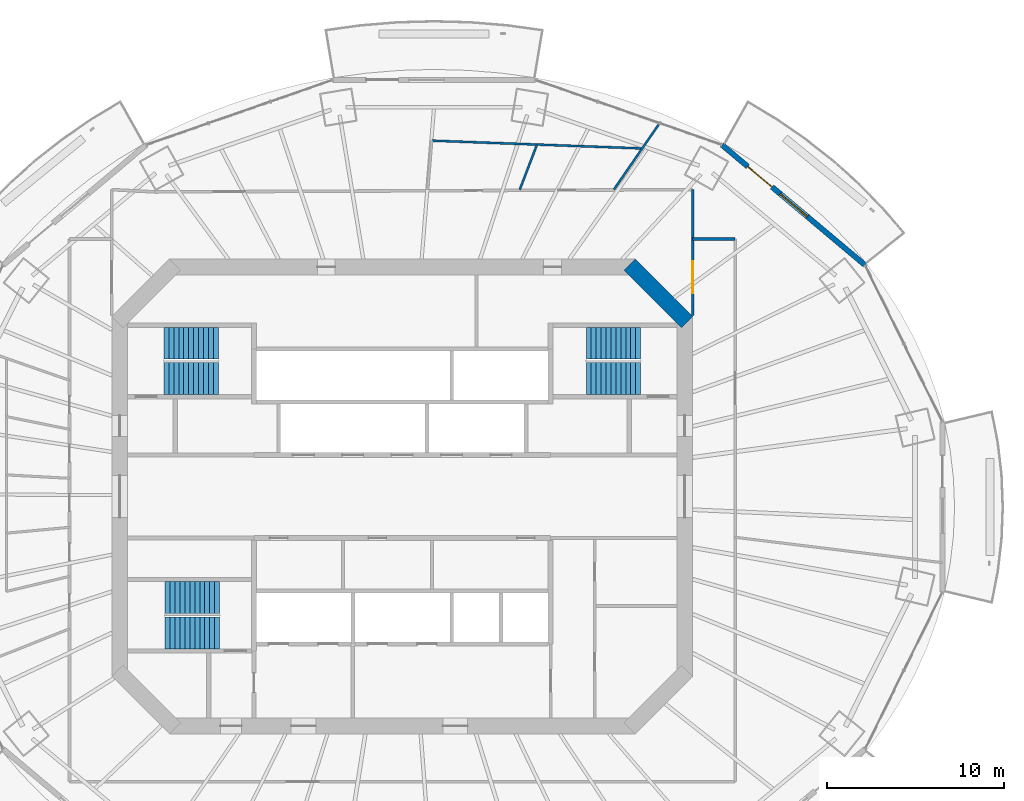
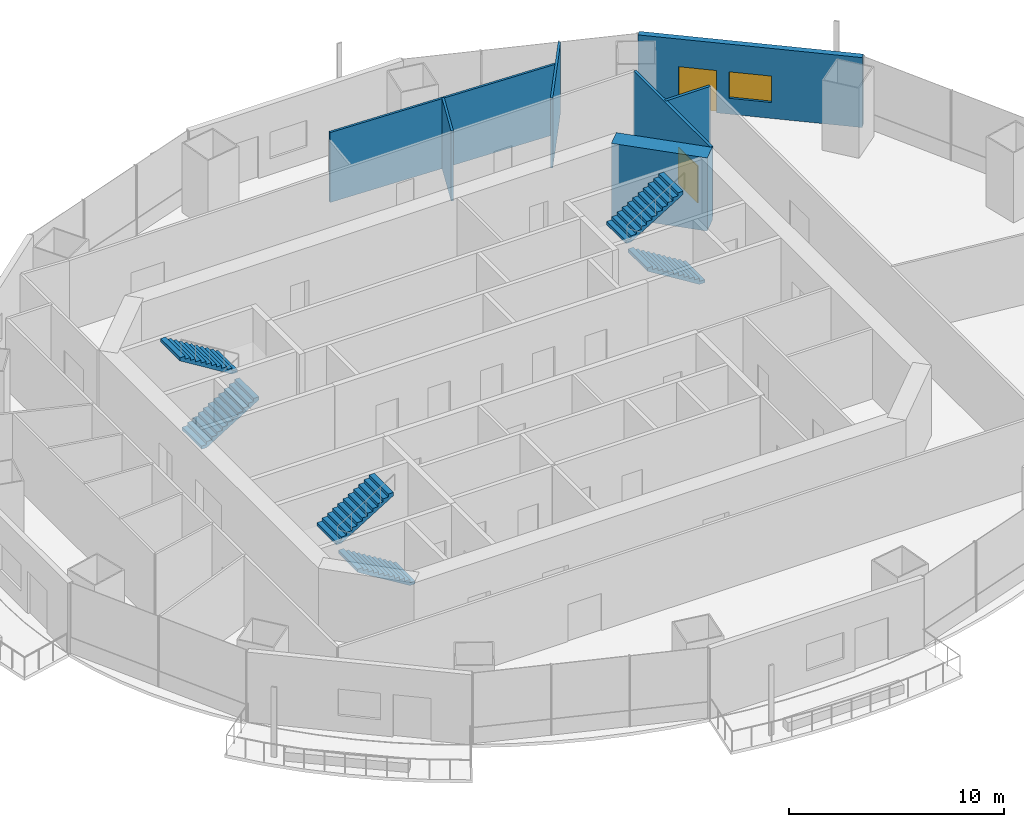
# One storey, part 13 of 18: 7 walls, 6 stair flights, 2 doors, 1 window, 3 openings, 3 elements without a shape of their own.
"""IFC4 building model written with IfcOpenShell, lengths in metres."""

from ifc_helpers import new_model, si_unit, direction, frame, frame_2d, origin, place, context, subcontext, project, spatial, polyline, rectangle, outline, extrude, material, layer, layer_set, type_object, element, fill, aggregate, save


model = new_model("IFC4")

# Units and contexts
model_context = context("Model", 3, precision=1e-05, world=origin(), true_north=direction((0.0, 1.0)))
body_context = subcontext(model_context, "Body", "Model", "MODEL_VIEW")
ifc_project = project(units=[si_unit("LENGTHUNIT", "METRE"), si_unit("AREAUNIT", "SQUARE_METRE"), si_unit("VOLUMEUNIT", "CUBIC_METRE"), si_unit("PLANEANGLEUNIT", "RADIAN"), si_unit("MASSUNIT", "GRAM", prefix="KILO")], contexts=[model_context])

# Site, building, storey
site_placement = place(None, origin())
site = spatial("IfcSite", under=ifc_project, at=site_placement, CompositionType="ELEMENT")
building_placement = place(site_placement, origin())
building = spatial("IfcBuilding", under=site, at=building_placement, Name="Marenthal Gate Tower", CompositionType="ELEMENT")
storey_placement = place(building_placement, frame((0.0, 0.0, 264.800048828125)))
storey = spatial("IfcBuildingStorey", under=building, at=storey_placement, Name="L59", CompositionType="ELEMENT", Elevation=264.800048828125)

# Walls
ifc_material_1 = material(Name="Concrete 60 MPa", Category="concrete")
ifc_layer_1 = layer(ifc_material_1, 0.89990234375)
ifc_layer_set_1 = layer_set([ifc_layer_1], Name="Core shear wall 900")
wall_type_1 = type_object("IfcWallType", Name="Core shear wall 900", PredefinedType="SHEAR", material=ifc_layer_set_1)
wall_1_placement = place(storey_placement, frame((16.1318359375, 9.8681640625, -0.179931640625), z_axis=(0.0, 0.0, 1.0), x_axis=(-0.707106781187, 0.707106781187, 0.0)))
element("IfcWall", 1, at=wall_1_placement, inside=storey, type_object=wall_type_1, Name="Core wall 03", PredefinedType="SHEAR", context=body_context, shape_type="SweptSolid", body=[
    extrude(rectangle(XDim=4.615478515625, YDim=0.89990234375, at=frame_2d((2.3076171875, 0.0))), origin(), (0.0, 0.0, 1.0), 4.14990234375),
])
ifc_material_2 = material(Name="Gypsum board on steel studs", Category="steel")
ifc_layer_2 = layer(ifc_material_2, 0.1201171875)
ifc_layer_set_2 = layer_set([ifc_layer_2], Name="Partition 120")
wall_type_2 = type_object("IfcWallType", Name="Partition 120", PredefinedType="PARTITIONING", material=ifc_layer_set_2)
wall_2_placement = place(storey_placement, frame((7.631591796875, 19.93310546875, 0.0), z_axis=(0.0, 0.0, 1.0), x_axis=(-0.357506405086, -0.933910686481, 0.0)))
element("IfcWall", 2, at=wall_2_placement, inside=storey, type_object=wall_type_2, Name="Partition wall 63", PredefinedType="PARTITIONING", context=body_context, shape_type="SweptSolid", body=[
    extrude(rectangle(XDim=2.733642578125, YDim=0.1201171875, at=frame_2d((1.36669921875, 0.0))), origin(), (0.0, 0.0, 1.0), 3.969970703125),
])
wall_3_placement = place(storey_placement, frame((11.9814453125, 17.380126953125, 0.0), z_axis=(0.0, 0.0, 1.0), x_axis=(0.567580608416, 0.82331783228, 0.0)))
element("IfcWall", 3, at=wall_3_placement, inside=storey, type_object=wall_type_2, Name="Partition wall 64", PredefinedType="PARTITIONING", context=body_context, shape_type="SweptSolid", body=[
    extrude(rectangle(XDim=4.569091796875, YDim=0.1201171875, at=frame_2d((2.28466796875, 0.0))), origin(), (0.0, 0.0, 1.0), 3.969970703125),
])
wall_4_placement = place(storey_placement, frame((13.589111328125, 19.71240234375, 0.0), z_axis=(0.0, 0.0, 1.0), x_axis=(-0.999313711309, 0.037041954465, 0.0)))
element("IfcWall", 4, at=wall_4_placement, inside=storey, type_object=wall_type_2, Name="Partition wall 65", PredefinedType="PARTITIONING", context=body_context, shape_type="SweptSolid", body=[
    extrude(rectangle(XDim=11.923095703125, YDim=0.1201171875, at=frame_2d((5.96142578125, 0.0))), origin(), (0.0, 0.0, 1.0), 3.969970703125),
])

# Wall, opening, door
ifc_material_3 = material(Name="Gypsum board on steel studs", Category="steel")
ifc_layer_3 = layer(ifc_material_3, 0.14990234375)
ifc_layer_set_3 = layer_set([ifc_layer_3], Name="Partition 150")
wall_type_3 = type_object("IfcWallType", Name="Partition 150", PredefinedType="PARTITIONING", material=ifc_layer_set_3)
wall_5_placement = place(storey_placement, frame((16.449951171875, 10.25, 0.0), z_axis=(0.0, 0.0, 1.0), x_axis=(0.0, 1.0, 0.0)))
wall_5 = element("IfcWall", 5, at=wall_5_placement, inside=storey, type_object=wall_type_3, Name="Partition wall 66", PredefinedType="PARTITIONING", context=body_context, shape_type="SweptSolid", body=[
    extrude(rectangle(XDim=7.130126953125, YDim=0.14990234375, at=frame_2d((3.56494140625, 0.0))), origin(), (0.0, 0.0, 1.0), 3.969970703125),
])
opening_1_placement = place(wall_5_placement, frame((1.264892578125, 0.0, 0.0)))
opening_1 = element("IfcOpeningElement", 6, at=opening_1_placement, cuts=wall_5, Name="Opening D014.05", PredefinedType="OPENING", context=body_context, shape_type="SweptSolid", body=[
    extrude(rectangle(XDim=1.800048828125, YDim=2.10009765625, at=frame_2d((0.89990234375, 1.050048828125))), frame((0.0, 0.0849609375, 0.0), z_axis=(0.0, -1.0, 0.0), x_axis=(1.0, 0.0, 0.0)), (0.0, 0.0, 1.0), 0.169921875),
])
ifc_material_4 = material(Name="Timber door", Category="wood")
door_type_1 = type_object("IfcDoorType", Name="Double door 1800 x 2100", OperationType="DOUBLE_DOOR_SINGLE_SWING", PredefinedType="DOOR", material=ifc_material_4)
door_1_placement = place(opening_1_placement, origin())
door_1 = element("IfcDoor", 7, at=door_1_placement, inside=storey, type_object=door_type_1, Name="Door D014.05", OperationType="DOUBLE_DOOR_SINGLE_SWING", OverallHeight=2.10009765625, OverallWidth=1.800048828125, PredefinedType="DOOR", context=body_context, shape_type="SweptSolid", body=[
    extrude(rectangle(XDim=1.800048828125, YDim=2.10009765625, at=frame_2d((0.89990234375, 1.050048828125))), frame((0.0, 0.02490234375, 0.0), z_axis=(0.0, -1.0, 0.0), x_axis=(1.0, 0.0, 0.0)), (0.0, 0.0, 1.0), 0.050048828125),
])
fill(opening_1, door_1)

# Wall
wall_6_placement = place(storey_placement, frame((16.449951171875, 14.580078125, 0.0), z_axis=(0.0, 0.0, 1.0), x_axis=(1.0, 0.0, 0.0)))
element("IfcWall", 8, at=wall_6_placement, inside=storey, type_object=wall_type_3, Name="Partition wall 67", PredefinedType="PARTITIONING", context=body_context, shape_type="SweptSolid", body=[
    extrude(rectangle(XDim=2.400146484375, YDim=0.14990234375, at=frame_2d((1.2001953125, 0.0))), origin(), (0.0, 0.0, 1.0), 3.969970703125),
])

# Wall, openings, door, window
ifc_material_5 = material(Name="Terracotta cladding on insulated concrete-block backing", Category="masonry")
ifc_layer_4 = layer(ifc_material_5, 0.300048828125)
ifc_layer_set_4 = layer_set([ifc_layer_4], Name="Terracotta facade wall 300")
wall_type_4 = type_object("IfcWallType", Name="Terracotta facade wall 300", PredefinedType="SOLIDWALL", material=ifc_layer_set_4)
wall_7_placement = place(storey_placement, frame((26.212890625, 13.104736328125, 0.0), z_axis=(0.0, 0.0, 1.0), x_axis=(-0.765648495003, 0.643259187342, 0.0)))
wall_7 = element("IfcWall", 9, at=wall_7_placement, inside=storey, type_object=wall_type_4, Name="Terracotta facade wall L59 bay 2", PredefinedType="SOLIDWALL", context=body_context, shape_type="SweptSolid", body=[
    extrude(rectangle(XDim=10.580322265625, YDim=0.300048828125, at=frame_2d((5.2900390625, 0.0))), origin(), (0.0, 0.0, 1.0), 3.969970703125),
])
opening_2_placement = place(wall_7_placement, frame((6.880126953125, 0.0, 0.0)))
opening_2 = element("IfcOpeningElement", 10, at=opening_2_placement, cuts=wall_7, Name="Opening BD-L59-02", PredefinedType="OPENING", context=body_context, shape_type="SweptSolid", body=[
    extrude(rectangle(XDim=1.800048828125, YDim=2.39990234375, at=frame_2d((0.89990234375, 1.199951171875))), frame((0.0, 0.16015625, 0.0), z_axis=(0.0, -1.0, 0.0), x_axis=(1.0, 0.0, 0.0)), (0.0, 0.0, 1.0), 0.320068359375),
])
opening_3_placement = place(wall_7_placement, frame((4.2802734375, 0.0, 0.89990234375)))
opening_3 = element("IfcOpeningElement", 11, at=opening_3_placement, cuts=wall_7, Name="Opening WN2-L59-02", PredefinedType="OPENING", context=body_context, shape_type="SweptSolid", body=[
    extrude(rectangle(XDim=2.0, YDim=1.5, at=frame_2d((1.0, 0.75))), frame((0.0, 0.16015625, 0.0), z_axis=(0.0, -1.0, 0.0), x_axis=(1.0, 0.0, 0.0)), (0.0, 0.0, 1.0), 0.320068359375),
])
ifc_material_6 = material(Name="Aluminium and glass", Category="aluminium")
door_type_2 = type_object("IfcDoorType", Name="Balcony door 1800x2400", OperationType="DOUBLE_DOOR_SINGLE_SWING", PredefinedType="DOOR", material=ifc_material_6)
door_2_placement = place(opening_2_placement, origin())
door_2 = element("IfcDoor", 12, at=door_2_placement, inside=storey, type_object=door_type_2, Name="Balcony door L59 bay 2", OperationType="SINGLE_SWING_LEFT", OverallHeight=2.39990234375, OverallWidth=1.800048828125, PredefinedType="DOOR", context=body_context, shape_type="SweptSolid", body=[
    extrude(rectangle(XDim=1.800048828125, YDim=2.39990234375, at=frame_2d((0.89990234375, 1.199951171875))), frame((0.0, 0.02490234375, 0.0), z_axis=(0.0, -1.0, 0.0), x_axis=(1.0, 0.0, 0.0)), (0.0, 0.0, 1.0), 0.050048828125),
])
fill(opening_2, door_2)
ifc_material_7 = material(Name="Aluminium and glass", Category="aluminium")
window_type = type_object("IfcWindowType", Name="Window 2000x1500", PartitioningType="DOUBLE_PANEL_VERTICAL", PredefinedType="WINDOW", material=ifc_material_7)
window_placement = place(opening_3_placement, origin())
window = element("IfcWindow", 13, at=window_placement, inside=storey, type_object=window_type, Name="Window L59 bay 2", OverallHeight=1.5, OverallWidth=2.0, PartitioningType="SINGLE_PANEL", PredefinedType="WINDOW", context=body_context, shape_type="SweptSolid", body=[
    extrude(rectangle(XDim=2.0, YDim=1.5, at=frame_2d((1.0, 0.75))), frame((0.0, 0.030029296875, 0.0), z_axis=(0.0, -1.0, 0.0), x_axis=(1.0, 0.0, 0.0)), (0.0, 0.0, 1.0), 0.06005859375),
])
fill(opening_3, window)

# Stair, stair flights
ifc_material_8 = material(Name="Concrete 40 MPa", Category="concrete")
stair_type = type_object("IfcStairType", Name="Exit stair 1800", PredefinedType="HALF_TURN_STAIR", material=ifc_material_8)
stair_1_placement = place(storey_placement, origin())
stair_1 = element("IfcStair", 14, at=stair_1_placement, inside=storey, type_object=stair_type, Name="Stair ST1", PredefinedType="HALF_TURN_STAIR")
ifc_material_9 = material(Name="Concrete 40 MPa", Category="concrete")
stair_flight_type = type_object("IfcStairFlightType", Name="Stair flight 1800", PredefinedType="STRAIGHT", material=ifc_material_9)
stair_flight_1_placement = place(storey_placement, frame((-13.5, 6.675048828125, 0.0), z_axis=(0.0, 0.0, 1.0), x_axis=(1.0, 0.0, 0.0)))
stair_flight_1 = element("IfcStairFlight", 15, at=stair_flight_1_placement, type_object=stair_flight_type, Name="ST1 flight 1", NumberOfRisers=12, NumberOfTreads=11, PredefinedType="STRAIGHT", RiserHeight=0.172916667, TreadLength=0.28, context=body_context, shape_type="SweptSolid", body=[
    extrude(outline(polyline([(0.0, 0.0), (0.0, 0.1728515625), (0.280029296875, 0.1728515625), (0.280029296875, 0.345947265625), (0.56005859375, 0.345947265625), (0.56005859375, 0.518798828125), (0.840087890625, 0.518798828125), (0.840087890625, 0.691650390625), (1.1201171875, 0.691650390625), (1.1201171875, 0.864501953125), (1.39990234375, 0.864501953125), (1.39990234375, 1.03759765625), (1.679931640625, 1.03759765625), (1.679931640625, 1.21044921875), (1.9599609375, 1.21044921875), (1.9599609375, 1.38330078125), (2.239990234375, 1.38330078125), (2.239990234375, 1.55615234375), (2.52001953125, 1.55615234375), (2.52001953125, 1.729248046875), (2.800048828125, 1.729248046875), (2.800048828125, 1.902099609375), (3.080078125, 1.902099609375), (3.080078125, 2.074951171875), (3.080078125, 1.725830078125), (0.285400390625, 0.0), (0.0, 0.0)])), frame((0.0, 0.89990234375, 0.0), z_axis=(0.0, -1.0, 0.0), x_axis=(1.0, 0.0, 0.0)), (0.0, 0.0, 1.0), 1.800048828125),
])
stair_flight_2_placement = place(storey_placement, frame((-10.419921875, 8.675048828125, 2.074951171875), z_axis=(0.0, 0.0, 1.0), x_axis=(-1.0, 0.0, 0.0)))
stair_flight_2 = element("IfcStairFlight", 16, at=stair_flight_2_placement, type_object=stair_flight_type, Name="ST1 flight 2", NumberOfRisers=12, NumberOfTreads=11, PredefinedType="STRAIGHT", RiserHeight=0.172916667, TreadLength=0.28, context=body_context, shape_type="SweptSolid", body=[
    extrude(outline(polyline([(0.0, 0.0), (0.0, 0.1728515625), (0.280029296875, 0.1728515625), (0.280029296875, 0.345947265625), (0.56005859375, 0.345947265625), (0.56005859375, 0.518798828125), (0.840087890625, 0.518798828125), (0.840087890625, 0.691650390625), (1.1201171875, 0.691650390625), (1.1201171875, 0.864501953125), (1.39990234375, 0.864501953125), (1.39990234375, 1.03759765625), (1.679931640625, 1.03759765625), (1.679931640625, 1.21044921875), (1.9599609375, 1.21044921875), (1.9599609375, 1.38330078125), (2.239990234375, 1.38330078125), (2.239990234375, 1.55615234375), (2.52001953125, 1.55615234375), (2.52001953125, 1.729248046875), (2.800048828125, 1.729248046875), (2.800048828125, 1.902099609375), (3.080078125, 1.902099609375), (3.080078125, 2.074951171875), (3.080078125, 1.725830078125), (0.285400390625, 0.0), (0.0, 0.0)])), frame((0.0, 0.89990234375, 0.0), z_axis=(0.0, -1.0, 0.0), x_axis=(1.0, 0.0, 0.0)), (0.0, 0.0, 1.0), 1.800048828125),
])
aggregate(stair_1, [stair_flight_1, stair_flight_2])

stair_2_placement = place(storey_placement, origin())
stair_2 = element("IfcStair", 17, at=stair_2_placement, inside=storey, type_object=stair_type, Name="Stair ST2", PredefinedType="HALF_TURN_STAIR")
stair_flight_3_placement = place(storey_placement, frame((-10.35009765625, -7.72509765625, 0.0), z_axis=(0.0, 0.0, 1.0), x_axis=(-1.0, 0.0, 0.0)))
stair_flight_3 = element("IfcStairFlight", 18, at=stair_flight_3_placement, type_object=stair_flight_type, Name="ST2 flight 1", NumberOfRisers=12, NumberOfTreads=11, PredefinedType="STRAIGHT", RiserHeight=0.172916667, TreadLength=0.28, context=body_context, shape_type="SweptSolid", body=[
    extrude(outline(polyline([(0.0, 0.0), (0.0, 0.1728515625), (0.280029296875, 0.1728515625), (0.280029296875, 0.345947265625), (0.56005859375, 0.345947265625), (0.56005859375, 0.518798828125), (0.840087890625, 0.518798828125), (0.840087890625, 0.691650390625), (1.1201171875, 0.691650390625), (1.1201171875, 0.864501953125), (1.39990234375, 0.864501953125), (1.39990234375, 1.03759765625), (1.679931640625, 1.03759765625), (1.679931640625, 1.21044921875), (1.9599609375, 1.21044921875), (1.9599609375, 1.38330078125), (2.239990234375, 1.38330078125), (2.239990234375, 1.55615234375), (2.52001953125, 1.55615234375), (2.52001953125, 1.729248046875), (2.800048828125, 1.729248046875), (2.800048828125, 1.902099609375), (3.080078125, 1.902099609375), (3.080078125, 2.074951171875), (3.080078125, 1.725830078125), (0.285400390625, 0.0), (0.0, 0.0)])), frame((0.0, 0.89990234375, 0.0), z_axis=(0.0, -1.0, 0.0), x_axis=(1.0, 0.0, 0.0)), (0.0, 0.0, 1.0), 1.800048828125),
])
stair_flight_4_placement = place(storey_placement, frame((-13.429931640625, -5.72509765625, 2.074951171875), z_axis=(0.0, 0.0, 1.0), x_axis=(1.0, 0.0, 0.0)))
stair_flight_4 = element("IfcStairFlight", 19, at=stair_flight_4_placement, type_object=stair_flight_type, Name="ST2 flight 2", NumberOfRisers=12, NumberOfTreads=11, PredefinedType="STRAIGHT", RiserHeight=0.172916667, TreadLength=0.28, context=body_context, shape_type="SweptSolid", body=[
    extrude(outline(polyline([(0.0, 0.0), (0.0, 0.1728515625), (0.280029296875, 0.1728515625), (0.280029296875, 0.345947265625), (0.56005859375, 0.345947265625), (0.56005859375, 0.518798828125), (0.840087890625, 0.518798828125), (0.840087890625, 0.691650390625), (1.1201171875, 0.691650390625), (1.1201171875, 0.864501953125), (1.39990234375, 0.864501953125), (1.39990234375, 1.03759765625), (1.679931640625, 1.03759765625), (1.679931640625, 1.21044921875), (1.9599609375, 1.21044921875), (1.9599609375, 1.38330078125), (2.239990234375, 1.38330078125), (2.239990234375, 1.55615234375), (2.52001953125, 1.55615234375), (2.52001953125, 1.729248046875), (2.800048828125, 1.729248046875), (2.800048828125, 1.902099609375), (3.080078125, 1.902099609375), (3.080078125, 2.074951171875), (3.080078125, 1.725830078125), (0.285400390625, 0.0), (0.0, 0.0)])), frame((0.0, 0.89990234375, 0.0), z_axis=(0.0, -1.0, 0.0), x_axis=(1.0, 0.0, 0.0)), (0.0, 0.0, 1.0), 1.800048828125),
])
aggregate(stair_2, [stair_flight_3, stair_flight_4])

stair_3_placement = place(storey_placement, origin())
stair_3 = element("IfcStair", 20, at=stair_3_placement, inside=storey, type_object=stair_type, Name="Stair ST3", PredefinedType="HALF_TURN_STAIR")
stair_flight_5_placement = place(storey_placement, frame((13.5, 6.675048828125, 0.0), z_axis=(0.0, 0.0, 1.0), x_axis=(-1.0, 0.0, 0.0)))
stair_flight_5 = element("IfcStairFlight", 21, at=stair_flight_5_placement, type_object=stair_flight_type, Name="ST3 flight 1", NumberOfRisers=12, NumberOfTreads=11, PredefinedType="STRAIGHT", RiserHeight=0.172916667, TreadLength=0.28, context=body_context, shape_type="SweptSolid", body=[
    extrude(outline(polyline([(0.0, 0.0), (0.0, 0.1728515625), (0.280029296875, 0.1728515625), (0.280029296875, 0.345947265625), (0.56005859375, 0.345947265625), (0.56005859375, 0.518798828125), (0.840087890625, 0.518798828125), (0.840087890625, 0.691650390625), (1.1201171875, 0.691650390625), (1.1201171875, 0.864501953125), (1.39990234375, 0.864501953125), (1.39990234375, 1.03759765625), (1.679931640625, 1.03759765625), (1.679931640625, 1.21044921875), (1.9599609375, 1.21044921875), (1.9599609375, 1.38330078125), (2.239990234375, 1.38330078125), (2.239990234375, 1.55615234375), (2.52001953125, 1.55615234375), (2.52001953125, 1.729248046875), (2.800048828125, 1.729248046875), (2.800048828125, 1.902099609375), (3.080078125, 1.902099609375), (3.080078125, 2.074951171875), (3.080078125, 1.725830078125), (0.285400390625, 0.0), (0.0, 0.0)])), frame((0.0, 0.89990234375, 0.0), z_axis=(0.0, -1.0, 0.0), x_axis=(1.0, 0.0, 0.0)), (0.0, 0.0, 1.0), 1.800048828125),
])
stair_flight_6_placement = place(storey_placement, frame((10.419921875, 8.675048828125, 2.074951171875), z_axis=(0.0, 0.0, 1.0), x_axis=(1.0, 0.0, 0.0)))
stair_flight_6 = element("IfcStairFlight", 22, at=stair_flight_6_placement, type_object=stair_flight_type, Name="ST3 flight 2", NumberOfRisers=12, NumberOfTreads=11, PredefinedType="STRAIGHT", RiserHeight=0.172916667, TreadLength=0.28, context=body_context, shape_type="SweptSolid", body=[
    extrude(outline(polyline([(0.0, 0.0), (0.0, 0.1728515625), (0.280029296875, 0.1728515625), (0.280029296875, 0.345947265625), (0.56005859375, 0.345947265625), (0.56005859375, 0.518798828125), (0.840087890625, 0.518798828125), (0.840087890625, 0.691650390625), (1.1201171875, 0.691650390625), (1.1201171875, 0.864501953125), (1.39990234375, 0.864501953125), (1.39990234375, 1.03759765625), (1.679931640625, 1.03759765625), (1.679931640625, 1.21044921875), (1.9599609375, 1.21044921875), (1.9599609375, 1.38330078125), (2.239990234375, 1.38330078125), (2.239990234375, 1.55615234375), (2.52001953125, 1.55615234375), (2.52001953125, 1.729248046875), (2.800048828125, 1.729248046875), (2.800048828125, 1.902099609375), (3.080078125, 1.902099609375), (3.080078125, 2.074951171875), (3.080078125, 1.725830078125), (0.285400390625, 0.0), (0.0, 0.0)])), frame((0.0, 0.89990234375, 0.0), z_axis=(0.0, -1.0, 0.0), x_axis=(1.0, 0.0, 0.0)), (0.0, 0.0, 1.0), 1.800048828125),
])
aggregate(stair_3, [stair_flight_5, stair_flight_6])

save(model, "model.ifc")
